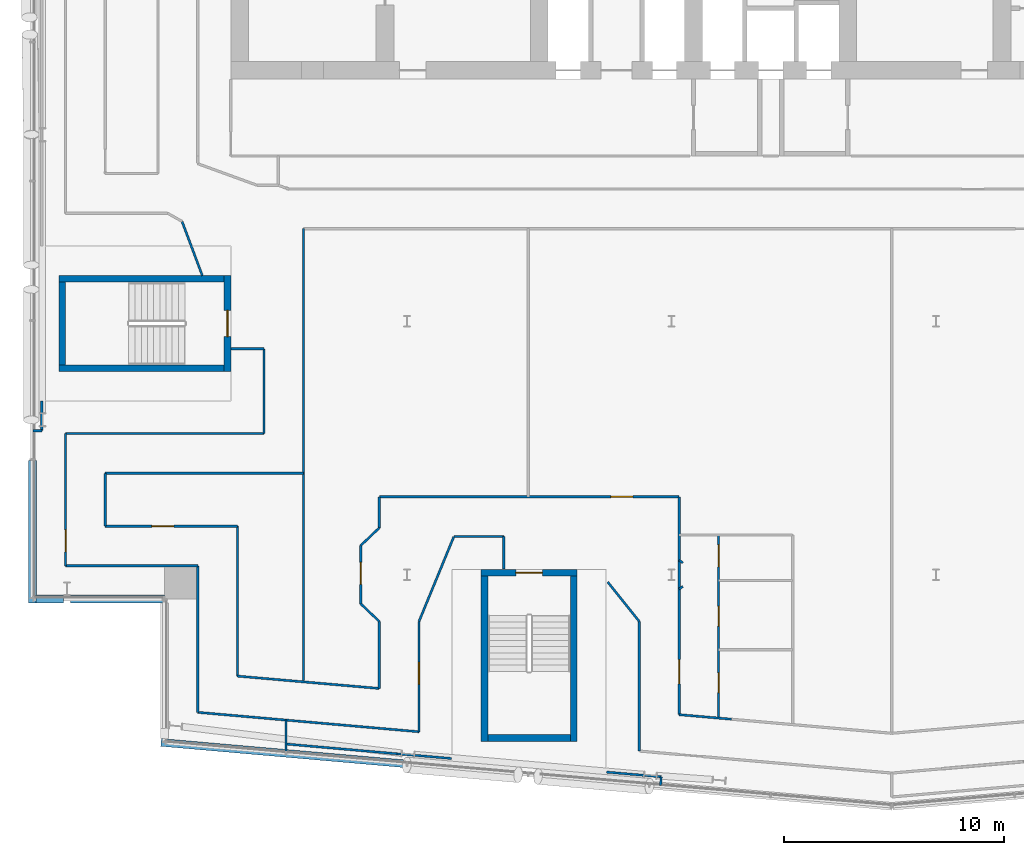
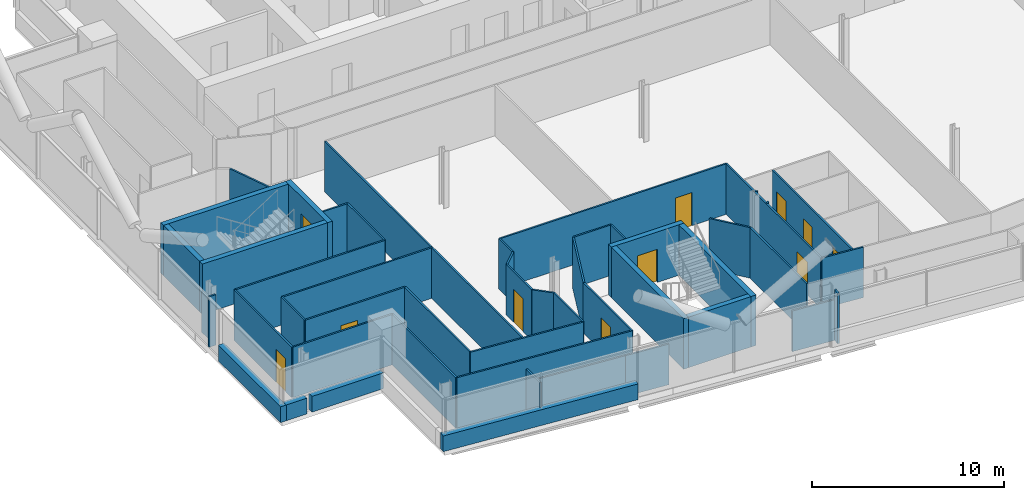
# One storey, part 14 of 28: 50 walls, 11 doors, 11 openings.
"""IFC4 building model written with IfcOpenShell, lengths in metres."""

from ifc_helpers import new_model, si_unit, direction, frame, frame_2d, origin, place, context, subcontext, project, spatial, rectangle, extrude, material, layer, layer_set, type_object, element, fill, save


model = new_model("IFC4")

# Units and contexts
model_context = context("Model", 3, precision=1e-05, world=origin(), true_north=direction((0.0, 1.0)))
body_context = subcontext(model_context, "Body", "Model", "MODEL_VIEW")
ifc_project = project(units=[si_unit("LENGTHUNIT", "METRE"), si_unit("AREAUNIT", "SQUARE_METRE"), si_unit("VOLUMEUNIT", "CUBIC_METRE"), si_unit("PLANEANGLEUNIT", "RADIAN"), si_unit("MASSUNIT", "GRAM", prefix="KILO")], contexts=[model_context])

# Site, building, storey
site_placement = place(None, origin())
site = spatial("IfcSite", under=ifc_project, at=site_placement, CompositionType="ELEMENT")
building_placement = place(site_placement, origin())
building = spatial("IfcBuilding", under=site, at=building_placement, Name="Wharfspan Tower", CompositionType="ELEMENT")
storey_placement = place(building_placement, frame((0.0, 0.0, 187.899902)))
storey = spatial("IfcBuildingStorey", under=building, at=storey_placement, Name="L46", CompositionType="ELEMENT", Elevation=187.899902)

# Wall, opening, door
ifc_material_1 = material(Name="Gypsum board on steel studs", Category="steel")
ifc_layer_1 = layer(ifc_material_1, 0.100098)
ifc_layer_set_1 = layer_set([ifc_layer_1], Name="Gypsum board on steel studs")
wall_type_1 = type_object("IfcWallType", Name="Compartment wall 100 EI 60", PredefinedType="PARTITIONING", material=ifc_layer_set_1)
wall_1_placement = place(storey_placement, frame((8.5, 11.899902, 0.0), z_axis=(0.0, 0.0, 1.0), x_axis=(0.0, 1.0, 0.0)))
wall_1 = element("IfcWall", 1, at=wall_1_placement, inside=storey, type_object=wall_type_1, Name="Partition L46.w004", PredefinedType="PARTITIONING", context=body_context, shape_type="SweptSolid", body=[
    extrude(rectangle(XDim=6.0, YDim=0.100098, at=frame_2d((3.0, 0.0))), origin(), (0.0, 0.0, 1.0), 3.200195),
])
opening_1_placement = place(wall_1_placement, frame((0.629883, 0.0, 0.0)))
opening_1 = element("IfcOpeningElement", 2, at=opening_1_placement, cuts=wall_1, Name="Opening C5-13", PredefinedType="OPENING", context=body_context, shape_type="SweptSolid", body=[
    extrude(rectangle(XDim=1.0, YDim=2.100098, at=frame_2d((0.5, 1.050049))), frame((0.0, 0.060059, 0.0), z_axis=(0.0, -1.0, 0.0), x_axis=(1.0, 0.0, 0.0)), (0.0, 0.0, 1.0), 0.120117),
])
ifc_material_2 = material(Name="Fire-rated timber door leaf in steel frame", Category="steel")
door_type_1 = type_object("IfcDoorType", Name="Door 1000 FD30S Left", OperationType="SINGLE_SWING_LEFT", PredefinedType="DOOR", material=ifc_material_2)
door_1_placement = place(opening_1_placement, origin())
door_1 = element("IfcDoor", 3, at=door_1_placement, inside=storey, type_object=door_type_1, Name="Door C5-13", OperationType="SINGLE_SWING_LEFT", OverallHeight=2.100098, OverallWidth=1.0, PredefinedType="DOOR", context=body_context, shape_type="SweptSolid", body=[
    extrude(rectangle(XDim=1.0, YDim=2.100098, at=frame_2d((0.5, 1.050049))), frame((0.0, 0.024902, 0.0), z_axis=(0.0, -1.0, 0.0), x_axis=(1.0, 0.0, 0.0)), (0.0, 0.0, 1.0), 0.050049),
])
fill(opening_1, door_1)

# Walls
wall_2_placement = place(storey_placement, frame((8.5, 11.899902, 0.0), z_axis=(0.0, 0.0, 1.0), x_axis=(1.0, 0.0, 0.0)))
element("IfcWall", 4, at=wall_2_placement, inside=storey, type_object=wall_type_1, Name="Partition L46.w005", PredefinedType="PARTITIONING", context=body_context, shape_type="SweptSolid", body=[
    extrude(rectangle(XDim=6.0, YDim=0.100098, at=frame_2d((3.0, 0.0))), origin(), (0.0, 0.0, 1.0), 3.200195),
])
wall_3_placement = place(storey_placement, frame((8.5, 17.899902, 0.0), z_axis=(0.0, 0.0, 1.0), x_axis=(1.0, 0.0, 0.0)))
element("IfcWall", 5, at=wall_3_placement, inside=storey, type_object=wall_type_1, Name="Partition L46.w006", PredefinedType="PARTITIONING", context=body_context, shape_type="SweptSolid", body=[
    extrude(rectangle(XDim=9.0, YDim=0.100098, at=frame_2d((4.5, 0.0))), origin(), (0.0, 0.0, 1.0), 3.200195),
])
wall_4_placement = place(storey_placement, frame((10.300049, 13.699951, 0.0), z_axis=(0.0, 0.0, 1.0), x_axis=(0.0, 1.0, 0.0)))
element("IfcWall", 6, at=wall_4_placement, inside=storey, type_object=wall_type_1, Name="Partition L46.w010", PredefinedType="PARTITIONING", context=body_context, shape_type="SweptSolid", body=[
    extrude(rectangle(XDim=2.400146, YDim=0.100098, at=frame_2d((1.200195, 0.0))), origin(), (0.0, 0.0, 1.0), 3.200195),
])

# Wall, opening, door
wall_5_placement = place(storey_placement, frame((10.300049, 13.699951, 0.0), z_axis=(0.0, 0.0, 1.0), x_axis=(1.0, 0.0, 0.0)))
wall_5 = element("IfcWall", 7, at=wall_5_placement, inside=storey, type_object=wall_type_1, Name="Partition L46.w011", PredefinedType="PARTITIONING", context=body_context, shape_type="SweptSolid", body=[
    extrude(rectangle(XDim=6.0, YDim=0.100098, at=frame_2d((3.0, 0.0))), origin(), (0.0, 0.0, 1.0), 3.200195),
])
opening_2_placement = place(wall_5_placement, frame((2.119629, 0.0, 0.0)))
opening_2 = element("IfcOpeningElement", 8, at=opening_2_placement, cuts=wall_5, Name="Opening C5-14", PredefinedType="OPENING", context=body_context, shape_type="SweptSolid", body=[
    extrude(rectangle(XDim=1.0, YDim=2.100098, at=frame_2d((0.5, 1.050049))), frame((0.0, 0.060059, 0.0), z_axis=(0.0, -1.0, 0.0), x_axis=(1.0, 0.0, 0.0)), (0.0, 0.0, 1.0), 0.120117),
])
door_2_placement = place(opening_2_placement, origin())
door_2 = element("IfcDoor", 9, at=door_2_placement, inside=storey, type_object=door_type_1, Name="Door C5-14", OperationType="SINGLE_SWING_LEFT", OverallHeight=2.100098, OverallWidth=1.0, PredefinedType="DOOR", context=body_context, shape_type="SweptSolid", body=[
    extrude(rectangle(XDim=1.0, YDim=2.100098, at=frame_2d((0.5, 1.050049))), frame((0.0, 0.024902, 0.0), z_axis=(0.0, -1.0, 0.0), x_axis=(1.0, 0.0, 0.0)), (0.0, 0.0, 1.0), 0.050049),
])
fill(opening_2, door_2)

# Walls
wall_6_placement = place(storey_placement, frame((10.300049, 16.100098, 0.0), z_axis=(0.0, 0.0, 1.0), x_axis=(1.0, 0.0, 0.0)))
element("IfcWall", 10, at=wall_6_placement, inside=storey, type_object=wall_type_1, Name="Partition L46.w012", PredefinedType="PARTITIONING", context=body_context, shape_type="SweptSolid", body=[
    extrude(rectangle(XDim=9.0, YDim=0.100098, at=frame_2d((4.5, 0.0))), origin(), (0.0, 0.0, 1.0), 3.200195),
])
wall_7_placement = place(storey_placement, frame((14.5, 5.25, 0.0), z_axis=(0.0, 0.0, 1.0), x_axis=(0.0, 1.0, 0.0)))
element("IfcWall", 11, at=wall_7_placement, inside=storey, type_object=wall_type_1, Name="Partition L46.w018", PredefinedType="PARTITIONING", context=body_context, shape_type="SweptSolid", body=[
    extrude(rectangle(XDim=6.649902, YDim=0.100098, at=frame_2d((3.324951, 0.0))), origin(), (0.0, 0.0, 1.0), 3.200195),
])
wall_8_placement = place(storey_placement, frame((14.706055, 25.074951, 0.0), z_axis=(0.0, 0.0, 1.0), x_axis=(-0.350591, 0.936528, 0.0)))
element("IfcWall", 12, at=wall_8_placement, inside=storey, type_object=wall_type_1, Name="Partition L46.w021", PredefinedType="PARTITIONING", context=body_context, shape_type="SweptSolid", body=[
    extrude(rectangle(XDim=2.614258, YDim=0.100098, at=frame_2d((1.307129, 0.0))), origin(), (0.0, 0.0, 1.0), 3.200195),
])
wall_9_placement = place(storey_placement, frame((16.02002, 21.75, 0.0), z_axis=(0.0, 0.0, 1.0), x_axis=(1.0, 0.0, 0.0)))
element("IfcWall", 13, at=wall_9_placement, inside=storey, type_object=wall_type_1, Name="Partition L46.w024", PredefinedType="PARTITIONING", context=body_context, shape_type="SweptSolid", body=[
    extrude(rectangle(XDim=1.47998, YDim=0.100098, at=frame_2d((0.73999, 0.0))), origin(), (0.0, 0.0, 1.0), 3.200195),
])
wall_10_placement = place(storey_placement, frame((16.300049, 6.899902, 0.0), z_axis=(0.0, 0.0, 1.0), x_axis=(0.0, 1.0, 0.0)))
element("IfcWall", 14, at=wall_10_placement, inside=storey, type_object=wall_type_1, Name="Partition L46.w025", PredefinedType="PARTITIONING", context=body_context, shape_type="SweptSolid", body=[
    extrude(rectangle(XDim=6.800049, YDim=0.100098, at=frame_2d((3.399902, 0.0))), origin(), (0.0, 0.0, 1.0), 3.200195),
])
wall_11_placement = place(storey_placement, frame((17.5, 17.899902, 0.0), z_axis=(0.0, 0.0, 1.0), x_axis=(0.0, 1.0, 0.0)))
element("IfcWall", 15, at=wall_11_placement, inside=storey, type_object=wall_type_1, Name="Partition L46.w028", PredefinedType="PARTITIONING", context=body_context, shape_type="SweptSolid", body=[
    extrude(rectangle(XDim=3.850098, YDim=0.100098, at=frame_2d((1.925049, 0.0))), origin(), (0.0, 0.0, 1.0), 3.200195),
])
wall_12_placement = place(storey_placement, frame((18.5, 3.425049, 0.0), z_axis=(0.0, 0.0, 1.0), x_axis=(0.0, 1.0, 0.0)))
element("IfcWall", 16, at=wall_12_placement, inside=storey, type_object=wall_type_1, Name="Partition L46.w031", PredefinedType="PARTITIONING", context=body_context, shape_type="SweptSolid", body=[
    extrude(rectangle(XDim=1.474854, YDim=0.100098, at=frame_2d((0.737305, 0.0))), origin(), (0.0, 0.0, 1.0), 2.580078),
])
wall_13_placement = place(storey_placement, frame((19.300049, 6.705078, 0.0), z_axis=(0.0, 0.0, 1.0), x_axis=(0.0, 1.0, 0.0)))
element("IfcWall", 17, at=wall_13_placement, inside=storey, type_object=wall_type_1, Name="Partition L46.w036", PredefinedType="PARTITIONING", context=body_context, shape_type="SweptSolid", body=[
    extrude(rectangle(XDim=20.494873, YDim=0.100098, at=frame_2d((10.247559, 0.0))), origin(), (0.0, 0.0, 1.0), 3.200195),
])
wall_14_placement = place(storey_placement, frame((21.899902, 12.824951, 0.0), z_axis=(0.0, 0.0, 1.0), x_axis=(0.724157, 0.689643, 0.0)))
element("IfcWall", 18, at=wall_14_placement, inside=storey, type_object=wall_type_1, Name="Partition L46.w038", PredefinedType="PARTITIONING", context=body_context, shape_type="SweptSolid", body=[
    extrude(rectangle(XDim=1.160156, YDim=0.100098, at=frame_2d((0.580078, 0.0))), origin(), (0.0, 0.0, 1.0), 3.200195),
])

# Wall, opening, door
wall_15_placement = place(storey_placement, frame((21.899902, 10.175049, 0.0), z_axis=(0.0, 0.0, 1.0), x_axis=(0.0, 1.0, 0.0)))
wall_15 = element("IfcWall", 19, at=wall_15_placement, inside=storey, type_object=wall_type_1, Name="Partition L46.w039", PredefinedType="PARTITIONING", context=body_context, shape_type="SweptSolid", body=[
    extrude(rectangle(XDim=2.649902, YDim=0.100098, at=frame_2d((1.324951, 0.0))), origin(), (0.0, 0.0, 1.0), 3.200195),
])
opening_3_placement = place(wall_15_placement, frame((0.879883, 0.0, 0.0)))
opening_3 = element("IfcOpeningElement", 20, at=opening_3_placement, cuts=wall_15, Name="Opening C5-11", PredefinedType="OPENING", context=body_context, shape_type="SweptSolid", body=[
    extrude(rectangle(XDim=1.0, YDim=2.100098, at=frame_2d((0.5, 1.050049))), frame((0.0, 0.060059, 0.0), z_axis=(0.0, -1.0, 0.0), x_axis=(1.0, 0.0, 0.0)), (0.0, 0.0, 1.0), 0.120117),
])
door_type_2 = type_object("IfcDoorType", Name="Door 1000 FD30S Right", OperationType="SINGLE_SWING_RIGHT", PredefinedType="DOOR", material=ifc_material_2)
door_3_placement = place(opening_3_placement, origin())
door_3 = element("IfcDoor", 21, at=door_3_placement, inside=storey, type_object=door_type_2, Name="Door C5-11", OperationType="SINGLE_SWING_RIGHT", OverallHeight=2.100098, OverallWidth=1.0, PredefinedType="DOOR", context=body_context, shape_type="SweptSolid", body=[
    extrude(rectangle(XDim=1.0, YDim=2.100098, at=frame_2d((0.5, 1.050049))), frame((0.0, 0.024902, 0.0), z_axis=(0.0, -1.0, 0.0), x_axis=(1.0, 0.0, 0.0)), (0.0, 0.0, 1.0), 0.050049),
])
fill(opening_3, door_3)

# Walls
wall_16_placement = place(storey_placement, frame((22.73999, 9.375, 0.0), z_axis=(0.0, 0.0, 1.0), x_axis=(-0.724157, 0.689643, 0.0)))
element("IfcWall", 22, at=wall_16_placement, inside=storey, type_object=wall_type_1, Name="Partition L46.w040", PredefinedType="PARTITIONING", context=body_context, shape_type="SweptSolid", body=[
    extrude(rectangle(XDim=1.160156, YDim=0.100098, at=frame_2d((0.580078, 0.0))), origin(), (0.0, 0.0, 1.0), 3.200195),
])
wall_17_placement = place(storey_placement, frame((22.73999, 6.334961, 0.0), z_axis=(0.0, 0.0, 1.0), x_axis=(-0.996229, 0.086722, 0.0)))
element("IfcWall", 23, at=wall_17_placement, inside=storey, type_object=wall_type_1, Name="Partition L46.w041", PredefinedType="PARTITIONING", context=body_context, shape_type="SweptSolid", body=[
    extrude(rectangle(XDim=6.477783, YDim=0.100098, at=frame_2d((3.23877, 0.0))), origin(), (0.0, 0.0, 1.0), 3.200195),
])
wall_18_placement = place(storey_placement, frame((22.73999, 6.334961, 0.0), z_axis=(0.0, 0.0, 1.0), x_axis=(0.0, 1.0, 0.0)))
element("IfcWall", 24, at=wall_18_placement, inside=storey, type_object=wall_type_1, Name="Partition L46.w042", PredefinedType="PARTITIONING", context=body_context, shape_type="SweptSolid", body=[
    extrude(rectangle(XDim=3.040039, YDim=0.100098, at=frame_2d((1.52002, 0.0))), origin(), (0.0, 0.0, 1.0), 3.200195),
])
wall_19_placement = place(storey_placement, frame((22.73999, 13.625, 0.0), z_axis=(0.0, 0.0, 1.0), x_axis=(0.0, 1.0, 0.0)))
element("IfcWall", 25, at=wall_19_placement, inside=storey, type_object=wall_type_1, Name="Partition L46.w043", PredefinedType="PARTITIONING", context=body_context, shape_type="SweptSolid", body=[
    extrude(rectangle(XDim=1.409912, YDim=0.100098, at=frame_2d((0.705078, 0.0))), origin(), (0.0, 0.0, 1.0), 3.200195),
])

# Wall, opening, door
wall_20_placement = place(storey_placement, frame((22.73999, 15.034912, 0.0), z_axis=(0.0, 0.0, 1.0), x_axis=(1.0, 0.0, 0.0)))
wall_20 = element("IfcWall", 26, at=wall_20_placement, inside=storey, type_object=wall_type_1, Name="Partition L46.w044", PredefinedType="PARTITIONING", context=body_context, shape_type="SweptSolid", body=[
    extrude(rectangle(XDim=13.600098, YDim=0.100098, at=frame_2d((6.800049, 0.0))), origin(), (0.0, 0.0, 1.0), 3.200195),
])
opening_4_placement = place(wall_20_placement, frame((10.51001, 0.0, 0.0)))
opening_4 = element("IfcOpeningElement", 27, at=opening_4_placement, cuts=wall_20, Name="Opening C5-15", PredefinedType="OPENING", context=body_context, shape_type="SweptSolid", body=[
    extrude(rectangle(XDim=1.0, YDim=2.100098, at=frame_2d((0.5, 1.050049))), frame((0.0, 0.060059, 0.0), z_axis=(0.0, -1.0, 0.0), x_axis=(1.0, 0.0, 0.0)), (0.0, 0.0, 1.0), 0.120117),
])
door_4_placement = place(opening_4_placement, origin())
door_4 = element("IfcDoor", 28, at=door_4_placement, inside=storey, type_object=door_type_2, Name="Door C5-15", OperationType="SINGLE_SWING_RIGHT", OverallHeight=2.100098, OverallWidth=1.0, PredefinedType="DOOR", context=body_context, shape_type="SweptSolid", body=[
    extrude(rectangle(XDim=1.0, YDim=2.100098, at=frame_2d((0.5, 1.050049))), frame((0.0, 0.024902, 0.0), z_axis=(0.0, -1.0, 0.0), x_axis=(1.0, 0.0, 0.0)), (0.0, 0.0, 1.0), 0.050049),
])
fill(opening_4, door_4)

# Wall
wall_21_placement = place(storey_placement, frame((24.540039, 9.375, 0.0), z_axis=(0.0, 0.0, 1.0), x_axis=(0.380187, 0.924914, 0.0)))
element("IfcWall", 29, at=wall_21_placement, inside=storey, type_object=wall_type_1, Name="Partition L46.w046", PredefinedType="PARTITIONING", context=body_context, shape_type="SweptSolid", body=[
    extrude(rectangle(XDim=4.156006, YDim=0.100098, at=frame_2d((2.078125, 0.0))), origin(), (0.0, 0.0, 1.0), 3.200195),
])

# Wall, opening, door
wall_22_placement = place(storey_placement, frame((24.540039, 4.370117, 0.0), z_axis=(0.0, 0.0, 1.0), x_axis=(0.0, 1.0, 0.0)))
wall_22 = element("IfcWall", 30, at=wall_22_placement, inside=storey, type_object=wall_type_1, Name="Partition L46.w047", PredefinedType="PARTITIONING", context=body_context, shape_type="SweptSolid", body=[
    extrude(rectangle(XDim=5.004883, YDim=0.100098, at=frame_2d((2.502441, 0.0))), origin(), (0.0, 0.0, 1.0), 3.200195),
])
opening_5_placement = place(wall_22_placement, frame((2.156006, 0.0, 0.0)))
opening_5 = element("IfcOpeningElement", 31, at=opening_5_placement, cuts=wall_22, Name="Opening C5-05", PredefinedType="OPENING", context=body_context, shape_type="SweptSolid", body=[
    extrude(rectangle(XDim=1.0, YDim=2.100098, at=frame_2d((0.5, 1.050049))), frame((0.0, 0.060059, 0.0), z_axis=(0.0, -1.0, 0.0), x_axis=(1.0, 0.0, 0.0)), (0.0, 0.0, 1.0), 0.120117),
])
door_5_placement = place(opening_5_placement, origin())
door_5 = element("IfcDoor", 32, at=door_5_placement, inside=storey, type_object=door_type_2, Name="Door C5-05", OperationType="SINGLE_SWING_RIGHT", OverallHeight=2.100098, OverallWidth=1.0, PredefinedType="DOOR", context=body_context, shape_type="SweptSolid", body=[
    extrude(rectangle(XDim=1.0, YDim=2.100098, at=frame_2d((0.5, 1.050049))), frame((0.0, 0.024902, 0.0), z_axis=(0.0, -1.0, 0.0), x_axis=(1.0, 0.0, 0.0)), (0.0, 0.0, 1.0), 0.050049),
])
fill(opening_5, door_5)

# Walls
wall_23_placement = place(storey_placement, frame((24.540039, 4.370117, 0.0), z_axis=(0.0, 0.0, 1.0), x_axis=(-0.996178, 0.08739, 0.0)))
element("IfcWall", 33, at=wall_23_placement, inside=storey, type_object=wall_type_1, Name="Partition L46.w048", PredefinedType="PARTITIONING", context=body_context, shape_type="SweptSolid", body=[
    extrude(rectangle(XDim=10.076904, YDim=0.100098, at=frame_2d((5.038574, 0.0))), origin(), (0.0, 0.0, 1.0), 3.200195),
])
wall_24_placement = place(storey_placement, frame((26.125, 13.235107, 0.0), z_axis=(0.0, 0.0, 1.0), x_axis=(1.0, 0.0, 0.0)))
element("IfcWall", 34, at=wall_24_placement, inside=storey, type_object=wall_type_1, Name="Partition L46.w050", PredefinedType="PARTITIONING", context=body_context, shape_type="SweptSolid", body=[
    extrude(rectangle(XDim=2.264893, YDim=0.100098, at=frame_2d((1.132324, 0.0))), origin(), (0.0, 0.0, 1.0), 3.200195),
])
wall_25_placement = place(storey_placement, frame((28.389893, 11.754395, 0.0), z_axis=(0.0, 0.0, 1.0), x_axis=(0.0, 1.0, 0.0)))
element("IfcWall", 35, at=wall_25_placement, inside=storey, type_object=wall_type_1, Name="Partition L46.w051", PredefinedType="PARTITIONING", context=body_context, shape_type="SweptSolid", body=[
    extrude(rectangle(XDim=1.480713, YDim=0.100098, at=frame_2d((0.740234, 0.0))), origin(), (0.0, 0.0, 1.0), 3.200195),
])
wall_26_placement = place(storey_placement, frame((34.540039, 3.495117, 0.0), z_axis=(0.0, 0.0, 1.0), x_axis=(0.0, 1.0, 0.0)))
element("IfcWall", 36, at=wall_26_placement, inside=storey, type_object=wall_type_1, Name="Partition L46.w053", PredefinedType="PARTITIONING", context=body_context, shape_type="SweptSolid", body=[
    extrude(rectangle(XDim=5.879883, YDim=0.100098, at=frame_2d((2.939941, 0.0))), origin(), (0.0, 0.0, 1.0), 3.200195),
])
wall_27_placement = place(storey_placement, frame((34.540039, 9.375, 0.0), z_axis=(0.0, 0.0, 1.0), x_axis=(-0.624735, 0.780839, 0.0)))
element("IfcWall", 37, at=wall_27_placement, inside=storey, type_object=wall_type_1, Name="Partition L46.w054", PredefinedType="PARTITIONING", context=body_context, shape_type="SweptSolid", body=[
    extrude(rectangle(XDim=2.295898, YDim=0.100098, at=frame_2d((1.147949, 0.0))), origin(), (0.0, 0.0, 1.0), 3.200195),
])

# Wall, opening, door
wall_28_placement = place(storey_placement, frame((36.350098, 5.155029, 0.0), z_axis=(0.0, 0.0, 1.0), x_axis=(0.0, 1.0, 0.0)))
wall_28 = element("IfcWall", 38, at=wall_28_placement, inside=storey, type_object=wall_type_1, Name="Partition L46.w057", PredefinedType="PARTITIONING", context=body_context, shape_type="SweptSolid", body=[
    extrude(rectangle(XDim=9.879883, YDim=0.100098, at=frame_2d((4.939941, 0.0))), origin(), (0.0, 0.0, 1.0), 3.200195),
])
opening_6_placement = place(wall_28_placement, frame((1.385498, 0.0, 0.0)))
opening_6 = element("IfcOpeningElement", 39, at=opening_6_placement, cuts=wall_28, Name="Opening C5-06", PredefinedType="OPENING", context=body_context, shape_type="SweptSolid", body=[
    extrude(rectangle(XDim=1.100098, YDim=2.100098, at=frame_2d((0.550049, 1.050049))), frame((0.0, 0.060059, 0.0), z_axis=(0.0, -1.0, 0.0), x_axis=(1.0, 0.0, 0.0)), (0.0, 0.0, 1.0), 0.120117),
])
door_type_3 = type_object("IfcDoorType", Name="Door 1100 FD30S Left", OperationType="SINGLE_SWING_LEFT", PredefinedType="DOOR", material=ifc_material_2)
door_6_placement = place(opening_6_placement, origin())
door_6 = element("IfcDoor", 40, at=door_6_placement, inside=storey, type_object=door_type_3, Name="Door C5-06", OperationType="SINGLE_SWING_LEFT", OverallHeight=2.100098, OverallWidth=1.100098, PredefinedType="DOOR", context=body_context, shape_type="SweptSolid", body=[
    extrude(rectangle(XDim=1.100098, YDim=2.100098, at=frame_2d((0.550049, 1.050049))), frame((0.0, 0.024902, 0.0), z_axis=(0.0, -1.0, 0.0), x_axis=(1.0, 0.0, 0.0)), (0.0, 0.0, 1.0), 0.050049),
])
fill(opening_6, door_6)

# Walls
for number, where, z_axis, x_axis, name in (
    (41, (36.350098, 10.844971, 0.0), (0.0, 0.0, 1.0), (0.808115, 0.589026, 0.0), "Partition L46.w058"),
    (42, (36.514893, 12.034912, 0.0), (0.0, 0.0, 1.0), (-0.808115, 0.589026, 0.0), "Partition L46.w060"),
):
    element("IfcWall", number, at=place(storey_placement, frame(where, z_axis=z_axis, x_axis=x_axis)), inside=storey, type_object=wall_type_1, Name=name, PredefinedType="PARTITIONING", context=body_context, shape_type="SweptSolid", body=[
        extrude(rectangle(XDim=0.203857, YDim=0.100098, at=frame_2d((0.102051, 0.0))), origin(), (0.0, 0.0, 1.0), 3.200195),
    ])

# Wall, openings, doors
wall_29_placement = place(storey_placement, frame((38.139893, 5.0, 0.0), z_axis=(0.0, 0.0, 1.0), x_axis=(0.0, 1.0, 0.0)))
wall_29 = element("IfcWall", 43, at=wall_29_placement, inside=storey, type_object=wall_type_1, Name="Partition L46.w061", PredefinedType="PARTITIONING", context=body_context, shape_type="SweptSolid", body=[
    extrude(rectangle(XDim=8.300049, YDim=0.100098, at=frame_2d((4.149902, 0.0))), origin(), (0.0, 0.0, 1.0), 3.200195),
])
opening_7_placement = place(wall_29_placement, frame((1.14502, 0.0, 0.0)))
opening_7 = element("IfcOpeningElement", 44, at=opening_7_placement, cuts=wall_29, Name="Opening C5-04", PredefinedType="OPENING", context=body_context, shape_type="SweptSolid", body=[
    extrude(rectangle(XDim=0.899902, YDim=2.100098, at=frame_2d((0.449951, 1.050049))), frame((0.0, 0.060059, 0.0), z_axis=(0.0, -1.0, 0.0), x_axis=(1.0, 0.0, 0.0)), (0.0, 0.0, 1.0), 0.120117),
])
opening_8_placement = place(wall_29_placement, frame((4.164795, 0.0, 0.0)))
opening_8 = element("IfcOpeningElement", 45, at=opening_8_placement, cuts=wall_29, Name="Opening C5-10", PredefinedType="OPENING", context=body_context, shape_type="SweptSolid", body=[
    extrude(rectangle(XDim=0.899902, YDim=2.100098, at=frame_2d((0.449951, 1.050049))), frame((0.0, 0.060059, 0.0), z_axis=(0.0, -1.0, 0.0), x_axis=(1.0, 0.0, 0.0)), (0.0, 0.0, 1.0), 0.120117),
])
opening_9_placement = place(wall_29_placement, frame((6.854736, 0.0, 0.0)))
opening_9 = element("IfcOpeningElement", 46, at=opening_9_placement, cuts=wall_29, Name="Opening C5-12", PredefinedType="OPENING", context=body_context, shape_type="SweptSolid", body=[
    extrude(rectangle(XDim=1.0, YDim=2.100098, at=frame_2d((0.5, 1.050049))), frame((0.0, 0.060059, 0.0), z_axis=(0.0, -1.0, 0.0), x_axis=(1.0, 0.0, 0.0)), (0.0, 0.0, 1.0), 0.120117),
])
ifc_material_3 = material(Name="Timber door leaf in steel frame", Category="steel")
door_type_4 = type_object("IfcDoorType", Name="Door 1000 NOT RATED Right", OperationType="SINGLE_SWING_RIGHT", PredefinedType="DOOR", material=ifc_material_3)
door_7_placement = place(opening_9_placement, origin())
door_7 = element("IfcDoor", 47, at=door_7_placement, inside=storey, type_object=door_type_4, Name="Door C5-12", OperationType="SINGLE_SWING_RIGHT", OverallHeight=2.100098, OverallWidth=1.0, PredefinedType="DOOR", context=body_context, shape_type="SweptSolid", body=[
    extrude(rectangle(XDim=1.0, YDim=2.100098, at=frame_2d((0.5, 1.050049))), frame((0.0, 0.024902, 0.0), z_axis=(0.0, -1.0, 0.0), x_axis=(1.0, 0.0, 0.0)), (0.0, 0.0, 1.0), 0.050049),
])
fill(opening_9, door_7)
door_type_5 = type_object("IfcDoorType", Name="Door 900 NOT RATED Left", OperationType="SINGLE_SWING_LEFT", PredefinedType="DOOR", material=ifc_material_3)
door_8_placement = place(opening_7_placement, origin())
door_8 = element("IfcDoor", 48, at=door_8_placement, inside=storey, type_object=door_type_5, Name="Door C5-04", OperationType="SINGLE_SWING_LEFT", OverallHeight=2.100098, OverallWidth=0.899902, PredefinedType="DOOR", context=body_context, shape_type="SweptSolid", body=[
    extrude(rectangle(XDim=0.899902, YDim=2.100098, at=frame_2d((0.449951, 1.050049))), frame((0.0, 0.024902, 0.0), z_axis=(0.0, -1.0, 0.0), x_axis=(1.0, 0.0, 0.0)), (0.0, 0.0, 1.0), 0.050049),
])
fill(opening_7, door_8)
door_type_6 = type_object("IfcDoorType", Name="Door 900 NOT RATED Right", OperationType="SINGLE_SWING_RIGHT", PredefinedType="DOOR", material=ifc_material_3)
door_9_placement = place(opening_8_placement, origin())
door_9 = element("IfcDoor", 49, at=door_9_placement, inside=storey, type_object=door_type_6, Name="Door C5-10", OperationType="SINGLE_SWING_RIGHT", OverallHeight=2.100098, OverallWidth=0.899902, PredefinedType="DOOR", context=body_context, shape_type="SweptSolid", body=[
    extrude(rectangle(XDim=0.899902, YDim=2.100098, at=frame_2d((0.449951, 1.050049))), frame((0.0, 0.024902, 0.0), z_axis=(0.0, -1.0, 0.0), x_axis=(1.0, 0.0, 0.0)), (0.0, 0.0, 1.0), 0.050049),
])
fill(opening_8, door_9)

# Walls
wall_30_placement = place(storey_placement, frame((38.715088, 4.939941, 0.0), z_axis=(0.0, 0.0, 1.0), x_axis=(-0.996236, 0.086674, 0.0)))
element("IfcWall", 50, at=wall_30_placement, inside=storey, type_object=wall_type_1, Name="Partition L46.w064", PredefinedType="PARTITIONING", context=body_context, shape_type="SweptSolid", body=[
    extrude(rectangle(XDim=2.371826, YDim=0.100098, at=frame_2d((1.186035, 0.0))), origin(), (0.0, 0.0, 1.0), 3.200195),
])
ifc_layer_2 = layer(ifc_material_1, 0.100098)
ifc_layer_set_2 = layer_set([ifc_layer_2], Name="Gypsum board on steel studs")
wall_type_2 = type_object("IfcWallType", Name="Partition 100", PredefinedType="PARTITIONING", material=ifc_layer_set_2)
wall_31_placement = place(storey_placement, frame((7.02002, 18.034912, 0.0), z_axis=(0.0, 0.0, 1.0), x_axis=(1.0, 0.0, 0.0)))
element("IfcWall", 51, at=wall_31_placement, inside=storey, type_object=wall_type_2, Name="Partition L46.w001", PredefinedType="PARTITIONING", context=body_context, shape_type="SweptSolid", body=[
    extrude(rectangle(XDim=0.399902, YDim=0.100098, at=frame_2d((0.199951, 0.0))), origin(), (0.0, 0.0, 1.0), 3.200195),
])
wall_32_placement = place(storey_placement, frame((7.419922, 18.034912, 0.0), z_axis=(0.0, 0.0, 1.0), x_axis=(0.0, 1.0, 0.0)))
element("IfcWall", 52, at=wall_32_placement, inside=storey, type_object=wall_type_2, Name="Partition L46.w002", PredefinedType="PARTITIONING", context=body_context, shape_type="SweptSolid", body=[
    extrude(rectangle(XDim=1.344971, YDim=0.100098, at=frame_2d((0.672363, 0.0))), origin(), (0.0, 0.0, 1.0), 2.580078),
])
wall_33_placement = place(storey_placement, frame((23.540039, 3.370117, 0.0), z_axis=(0.0, 0.0, 1.0), x_axis=(-0.996148, 0.087735, 0.0)))
element("IfcWall", 53, at=wall_33_placement, inside=storey, type_object=wall_type_2, Name="Partition L46.w045", PredefinedType="PARTITIONING", context=body_context, shape_type="SweptSolid", body=[
    extrude(rectangle(XDim=5.014404, YDim=0.100098, at=frame_2d((2.507324, 0.0))), origin(), (0.0, 0.0, 1.0), 2.580078),
])
wall_34_placement = place(storey_placement, frame((26.019287, 3.156738, 0.0), z_axis=(0.0, 0.0, 1.0), x_axis=(-0.996317, 0.085749, 0.0)))
element("IfcWall", 54, at=wall_34_placement, inside=storey, type_object=wall_type_2, Name="Partition L46.w049", PredefinedType="PARTITIONING", context=body_context, shape_type="SweptSolid", body=[
    extrude(rectangle(XDim=2.488525, YDim=0.100098, at=frame_2d((1.244141, 0.0))), origin(), (0.0, 0.0, 1.0), 2.580078),
])
wall_35_placement = place(storey_placement, frame((35.501709, 1.926514, 0.0), z_axis=(0.0, 0.0, 1.0), x_axis=(0.083045, 0.996542, 0.0)))
element("IfcWall", 55, at=wall_35_placement, inside=storey, type_object=wall_type_2, Name="Partition L46.w055", PredefinedType="PARTITIONING", context=body_context, shape_type="SweptSolid", body=[
    extrude(rectangle(XDim=0.399902, YDim=0.100098, at=frame_2d((0.199951, 0.0))), origin(), (0.0, 0.0, 1.0), 3.200195),
])
wall_36_placement = place(storey_placement, frame((35.534912, 2.324951, 0.0), z_axis=(0.0, 0.0, 1.0), x_axis=(-0.996311, 0.085867, 0.0)))
element("IfcWall", 56, at=wall_36_placement, inside=storey, type_object=wall_type_2, Name="Partition L46.w056", PredefinedType="PARTITIONING", context=body_context, shape_type="SweptSolid", body=[
    extrude(rectangle(XDim=2.485107, YDim=0.100098, at=frame_2d((1.242676, 0.0))), origin(), (0.0, 0.0, 1.0), 2.580078),
])
ifc_material_4 = material(Name="Concrete C40/50", Category="concrete")
ifc_layer_3 = layer(ifc_material_4, 0.350098)
ifc_layer_set_3 = layer_set([ifc_layer_3], Name="Concrete C40/50")
wall_type_3 = type_object("IfcWallType", Name="SPANDREL EXPOSED CONCRETE 350", PredefinedType="SOLIDWALL", material=ifc_layer_set_3)
wall_37_placement = place(storey_placement, frame((12.835205, 3.884521, 0.0), z_axis=(0.0, 0.0, 1.0), x_axis=(0.996199, -0.087154, 0.0)))
element("IfcWall", 57, at=wall_37_placement, inside=storey, type_object=wall_type_3, Name="Spandrel upstand L46 S1 1", PredefinedType="SOLIDWALL", context=body_context, shape_type="SweptSolid", body=[
    extrude(rectangle(XDim=11.177002, YDim=0.350098, at=frame_2d((5.588379, 0.0))), origin(), (0.0, 0.0, 1.0), 1.0),
])
wall_38_placement = place(storey_placement, frame((6.995117, 16.689941, 0.0), z_axis=(0.0, 0.0, 1.0), x_axis=(0.0, -1.0, 0.0)))
element("IfcWall", 58, at=wall_38_placement, inside=storey, type_object=wall_type_3, Name="Spandrel upstand L46 W", PredefinedType="SOLIDWALL", context=body_context, shape_type="SweptSolid", body=[
    extrude(rectangle(XDim=6.469971, YDim=0.350098, at=frame_2d((3.234863, 0.0))), origin(), (0.0, 0.0, 1.0), 1.0),
])
wall_39_placement = place(storey_placement, frame((7.169922, 10.39502, 0.0), z_axis=(0.0, 0.0, 1.0), x_axis=(1.0, 0.0, 0.0)))
element("IfcWall", 59, at=wall_39_placement, inside=storey, type_object=wall_type_3, Name="Spandrel upstand L46 NFW-H", PredefinedType="SOLIDWALL", context=body_context, shape_type="SweptSolid", body=[
    extrude(rectangle(XDim=1.238281, YDim=0.350098, at=frame_2d((0.619141, 0.0))), origin(), (0.0, 0.0, 1.0), 1.0),
])
wall_40_placement = place(storey_placement, frame((8.713379, 10.39502, 0.0), z_axis=(0.0, 0.0, 1.0), x_axis=(1.0, 0.0, 0.0)))
element("IfcWall", 60, at=wall_40_placement, inside=storey, type_object=wall_type_3, Name="Spandrel upstand L46 NFW-H 2", PredefinedType="SOLIDWALL", context=body_context, shape_type="SweptSolid", body=[
    extrude(rectangle(XDim=4.286621, YDim=0.350098, at=frame_2d((2.143311, 0.0))), origin(), (0.0, 0.0, 1.0), 1.0),
])

# Wall, opening, door
ifc_layer_4 = layer(ifc_material_4, 0.300049)
ifc_layer_set_4 = layer_set([ifc_layer_4], Name="Concrete C40/50")
wall_type_4 = type_object("IfcWallType", Name="Stair core wall 300", PredefinedType="SHEAR", material=ifc_layer_set_4)
wall_41_placement = place(storey_placement, frame((15.850098, 20.725098, 0.0), z_axis=(0.0, 0.0, 1.0), x_axis=(0.0, 1.0, 0.0)))
wall_41 = element("IfcWall", 61, at=wall_41_placement, inside=storey, type_object=wall_type_4, Name="ST3 stair enclosure wall L46", PredefinedType="SHEAR", context=body_context, shape_type="SweptSolid", body=[
    extrude(rectangle(XDim=4.349854, YDim=0.300049, at=frame_2d((2.174805, 0.0))), origin(), (0.0, 0.0, 1.0), 3.200195),
])
opening_10_placement = place(wall_41_placement, frame((1.574951, 0.0, 0.0)))
opening_10 = element("IfcOpeningElement", 62, at=opening_10_placement, cuts=wall_41, Name="Opening SD3.L46", PredefinedType="OPENING", context=body_context, shape_type="SweptSolid", body=[
    extrude(rectangle(XDim=1.199951, YDim=2.100098, at=frame_2d((0.600098, 1.050049))), frame((0.0, 0.159912, 0.0), z_axis=(0.0, -1.0, 0.0), x_axis=(1.0, 0.0, 0.0)), (0.0, 0.0, 1.0), 0.320068),
])
ifc_material_5 = material(Name="Steel door leaf", Category="steel")
door_type_7 = type_object("IfcDoorType", Name="Stair door 1200x2100", OperationType="SINGLE_SWING_LEFT", PredefinedType="DOOR", material=ifc_material_5)
door_10_placement = place(opening_10_placement, origin())
door_10 = element("IfcDoor", 63, at=door_10_placement, inside=storey, type_object=door_type_7, Name="sd:L46:ST3z3", OperationType="SINGLE_SWING_RIGHT", OverallHeight=2.100098, OverallWidth=1.199951, PredefinedType="DOOR", context=body_context, shape_type="SweptSolid", body=[
    extrude(rectangle(XDim=1.199951, YDim=2.100098, at=frame_2d((0.600098, 1.050049))), frame((0.0, 0.024902, 0.0), z_axis=(0.0, -1.0, 0.0), x_axis=(1.0, 0.0, 0.0)), (0.0, 0.0, 1.0), 0.050049),
])
fill(opening_10, door_10)

wall_42_placement = place(storey_placement, frame((27.364258, 11.584229, 0.0), z_axis=(0.0, 0.0, 1.0), x_axis=(1.0, 0.0, 0.0)))
wall_42 = element("IfcWall", 64, at=wall_42_placement, inside=storey, type_object=wall_type_4, Name="ST4 stair enclosure wall L46", PredefinedType="SHEAR", context=body_context, shape_type="SweptSolid", body=[
    extrude(rectangle(XDim=4.349854, YDim=0.300049, at=frame_2d((2.174805, 0.0))), origin(), (0.0, 0.0, 1.0), 3.200195),
])
opening_11_placement = place(wall_42_placement, frame((1.574951, 0.0, 0.0)))
opening_11 = element("IfcOpeningElement", 65, at=opening_11_placement, cuts=wall_42, Name="Opening SD4.L46", PredefinedType="OPENING", context=body_context, shape_type="SweptSolid", body=[
    extrude(rectangle(XDim=1.199951, YDim=2.100098, at=frame_2d((0.600098, 1.050049))), frame((0.0, 0.159912, 0.0), z_axis=(0.0, -1.0, 0.0), x_axis=(1.0, 0.0, 0.0)), (0.0, 0.0, 1.0), 0.320068),
])
door_11_placement = place(opening_11_placement, origin())
door_11 = element("IfcDoor", 66, at=door_11_placement, inside=storey, type_object=door_type_7, Name="sd:L46:ST4z3", OperationType="SINGLE_SWING_RIGHT", OverallHeight=2.100098, OverallWidth=1.199951, PredefinedType="DOOR", context=body_context, shape_type="SweptSolid", body=[
    extrude(rectangle(XDim=1.199951, YDim=2.100098, at=frame_2d((0.600098, 1.050049))), frame((0.0, 0.024902, 0.0), z_axis=(0.0, -1.0, 0.0), x_axis=(1.0, 0.0, 0.0)), (0.0, 0.0, 1.0), 0.050049),
])
fill(opening_11, door_11)

# Walls
for number, where, z_axis, x_axis, name in (
    (67, (8.199951, 20.875, 0.0), (0.0, 0.0, 1.0), (1.0, 0.0, 0.0), "ST3 stair enclosure wall L46"),
    (68, (8.199951, 24.925049, 0.0), (0.0, 0.0, 1.0), (1.0, 0.0, 0.0), "ST3 stair enclosure wall L46"),
):
    element("IfcWall", number, at=place(storey_placement, frame(where, z_axis=z_axis, x_axis=x_axis)), inside=storey, type_object=wall_type_4, Name=name, PredefinedType="SHEAR", context=body_context, shape_type="SweptSolid", body=[
        extrude(rectangle(XDim=7.5, YDim=0.300049, at=frame_2d((3.75, 0.0))), origin(), (0.0, 0.0, 1.0), 3.200195),
    ])
wall_43_placement = place(storey_placement, frame((8.350098, 21.024902, 0.0), z_axis=(0.0, 0.0, 1.0), x_axis=(0.0, 1.0, 0.0)))
element("IfcWall", 69, at=wall_43_placement, inside=storey, type_object=wall_type_4, Name="ST3 stair enclosure wall L46", PredefinedType="SHEAR", context=body_context, shape_type="SweptSolid", body=[
    extrude(rectangle(XDim=3.75, YDim=0.300049, at=frame_2d((1.875, 0.0))), origin(), (0.0, 0.0, 1.0), 3.200195),
])
for number, where, z_axis, x_axis, name in (
    (70, (27.51416, 3.934326, 0.0), (0.0, 0.0, 1.0), (0.0, 1.0, 0.0), "ST4 stair enclosure wall L46"),
    (71, (31.564209, 3.934326, 0.0), (0.0, 0.0, 1.0), (0.0, 1.0, 0.0), "ST4 stair enclosure wall L46"),
):
    element("IfcWall", number, at=place(storey_placement, frame(where, z_axis=z_axis, x_axis=x_axis)), inside=storey, type_object=wall_type_4, Name=name, PredefinedType="SHEAR", context=body_context, shape_type="SweptSolid", body=[
        extrude(rectangle(XDim=7.5, YDim=0.300049, at=frame_2d((3.75, 0.0))), origin(), (0.0, 0.0, 1.0), 3.200195),
    ])
wall_44_placement = place(storey_placement, frame((27.664307, 4.084229, 0.0), z_axis=(0.0, 0.0, 1.0), x_axis=(1.0, 0.0, 0.0)))
element("IfcWall", 72, at=wall_44_placement, inside=storey, type_object=wall_type_4, Name="ST4 stair enclosure wall L46", PredefinedType="SHEAR", context=body_context, shape_type="SweptSolid", body=[
    extrude(rectangle(XDim=3.75, YDim=0.300049, at=frame_2d((1.875, 0.0))), origin(), (0.0, 0.0, 1.0), 3.200195),
])

save(model, "model.ifc")
